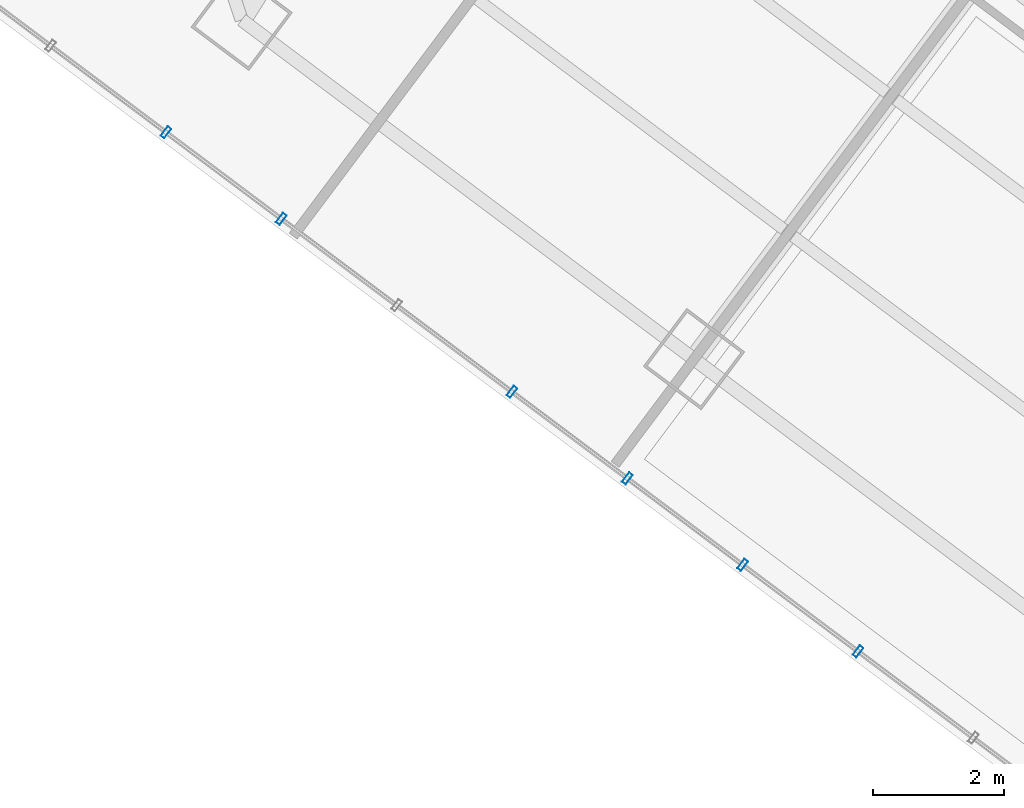
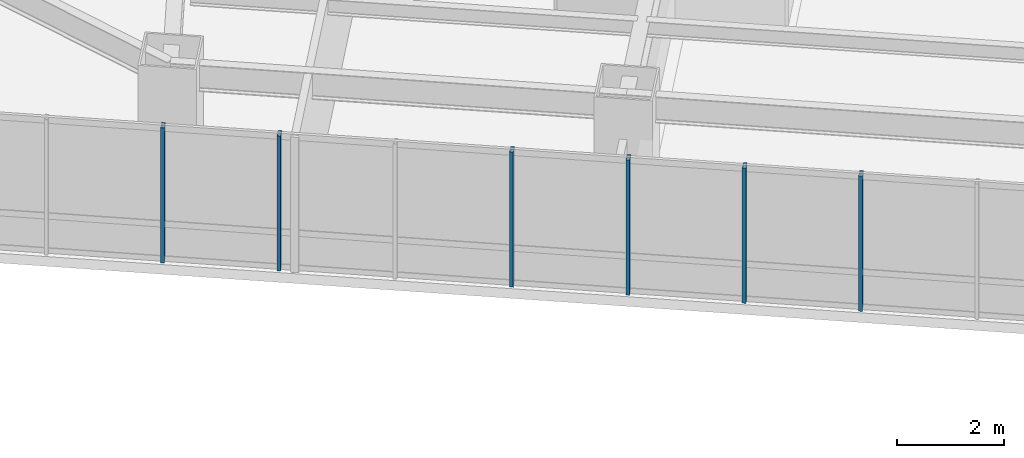
# One storey, part 9 of 39: 6 members, 1 element without a shape of its own.
"""IFC4 building model written with IfcOpenShell, lengths in metres."""

from ifc_helpers import new_model, si_unit, direction, frame, origin, origin_2d, place, context, subcontext, project, spatial, hollow_rectangle, extrude, material, layer, layer_set, material_profile, profile_set, type_object, element, aggregate, save


model = new_model("IFC4")

# Units and contexts
model_context = context("Model", 3, precision=1e-05, world=origin(), true_north=direction((0.0, 1.0)))
body_context = subcontext(model_context, "Body", "Model", "MODEL_VIEW")
ifc_project = project(units=[si_unit("LENGTHUNIT", "METRE"), si_unit("AREAUNIT", "SQUARE_METRE"), si_unit("VOLUMEUNIT", "CUBIC_METRE"), si_unit("PLANEANGLEUNIT", "RADIAN"), si_unit("MASSUNIT", "GRAM", prefix="KILO")], contexts=[model_context])

# Site, building, storey
site_placement = place(None, origin())
site = spatial("IfcSite", under=ifc_project, at=site_placement, CompositionType="ELEMENT")
building_placement = place(site_placement, origin())
building = spatial("IfcBuilding", under=site, at=building_placement, Name="Hatsunagi Terrace Concourse", CompositionType="ELEMENT")
storey_placement = place(building_placement, frame((0.0, 0.0, 66.75)))
storey = spatial("IfcBuildingStorey", under=building, at=storey_placement, Name="L17", CompositionType="ELEMENT", Elevation=66.75)

# Curtain wall, members
ifc_material_1 = material(Name="Anodised Aluminium Alloy 6063-T5", Category="aluminium")
ifc_layer = layer(ifc_material_1, 0.199951171875)
ifc_layer_set = layer_set([ifc_layer], Name="HotelFacade_CW02")
curtain_wall_type = type_object("IfcCurtainWallType", Name="HotelFacade_CW02", PredefinedType="NOTDEFINED", material=ifc_layer_set)
curtain_wall_placement = place(storey_placement, origin())
curtain_wall = element("IfcCurtainWall", 1, at=curtain_wall_placement, inside=storey, type_object=curtain_wall_type, Name="Unitised Curtain Wall CW-02 CW-L17-05", PredefinedType="NOTDEFINED")
ifc_material_2 = material(Name="Anodised Aluminium Alloy 6063-T5", Category="aluminium")
ifc_material_profile = material_profile(ifc_material_2, hollow_rectangle(XDim=0.070068359375, YDim=0.179931640625, WallThickness=0.00390625, at=origin_2d()), Name="ALU-MUL-180x70x4")
ifc_profile_set = profile_set([ifc_material_profile], Name="Anodised Aluminium Alloy 6063-T5")
member_type = type_object("IfcMemberType", Name="CurtainWallMullion_180x70", PredefinedType="MULLION", material=ifc_profile_set)
member_1_placement = place(storey_placement, frame((48.054931640625, 6.43408203125, 0.0), z_axis=(0.0, 0.0, 1.0), x_axis=(-0.800003116929, 0.599995844072, 0.0)))
member_1 = element("IfcMember", 2, at=member_1_placement, type_object=member_type, Name="Curtain Wall Mullion MUL-02", PredefinedType="MULLION", context=body_context, shape_type="SweptSolid", body=[
    extrude(hollow_rectangle(XDim=0.070068359375, YDim=0.179931640625, WallThickness=0.00390625, at=origin_2d()), origin(), (0.0, 0.0, 1.0), 3.090087890625),
])
member_2_placement = place(storey_placement, frame((46.300048828125, 7.75, 0.0), z_axis=(0.0, 0.0, 1.0), x_axis=(-0.800003116929, 0.599995844072, 0.0)))
member_2 = element("IfcMember", 3, at=member_2_placement, type_object=member_type, Name="Curtain Wall Mullion MUL-02", PredefinedType="MULLION", context=body_context, shape_type="SweptSolid", body=[
    extrude(hollow_rectangle(XDim=0.070068359375, YDim=0.179931640625, WallThickness=0.00390625, at=origin_2d()), origin(), (0.0, 0.0, 1.0), 3.090087890625),
])
member_3_placement = place(storey_placement, frame((44.5458984375, 9.06591796875, 0.0), z_axis=(0.0, 0.0, 1.0), x_axis=(-0.800003116929, 0.599995844072, 0.0)))
member_3 = element("IfcMember", 4, at=member_3_placement, type_object=member_type, Name="Curtain Wall Mullion MUL-02", PredefinedType="MULLION", context=body_context, shape_type="SweptSolid", body=[
    extrude(hollow_rectangle(XDim=0.070068359375, YDim=0.179931640625, WallThickness=0.00390625, at=origin_2d()), origin(), (0.0, 0.0, 1.0), 3.090087890625),
])
member_4_placement = place(storey_placement, frame((42.791015625, 10.382080078125, 0.0), z_axis=(0.0, 0.0, 1.0), x_axis=(-0.800003116929, 0.599995844072, 0.0)))
member_4 = element("IfcMember", 5, at=member_4_placement, type_object=member_type, Name="Curtain Wall Mullion MUL-02", PredefinedType="MULLION", context=body_context, shape_type="SweptSolid", body=[
    extrude(hollow_rectangle(XDim=0.070068359375, YDim=0.179931640625, WallThickness=0.00390625, at=origin_2d()), origin(), (0.0, 0.0, 1.0), 3.090087890625),
])
member_5_placement = place(storey_placement, frame((39.281982421875, 13.012939453125, 0.0), z_axis=(0.0, 0.0, 1.0), x_axis=(-0.800003116929, 0.599995844072, 0.0)))
member_5 = element("IfcMember", 6, at=member_5_placement, type_object=member_type, Name="Curtain Wall Mullion MUL-02", PredefinedType="MULLION", context=body_context, shape_type="SweptSolid", body=[
    extrude(hollow_rectangle(XDim=0.070068359375, YDim=0.179931640625, WallThickness=0.00390625, at=origin_2d()), origin(), (0.0, 0.0, 1.0), 3.090087890625),
])
member_6_placement = place(storey_placement, frame((37.528076171875, 14.3291015625, 0.0), z_axis=(0.0, 0.0, 1.0), x_axis=(-0.800003116929, 0.599995844072, 0.0)))
member_6 = element("IfcMember", 7, at=member_6_placement, type_object=member_type, Name="Curtain Wall Mullion MUL-02", PredefinedType="MULLION", context=body_context, shape_type="SweptSolid", body=[
    extrude(hollow_rectangle(XDim=0.070068359375, YDim=0.179931640625, WallThickness=0.00390625, at=origin_2d()), origin(), (0.0, 0.0, 1.0), 3.090087890625),
])
aggregate(curtain_wall, [member_1, member_2, member_3, member_4, member_5, member_6])

save(model, "model.ifc")
